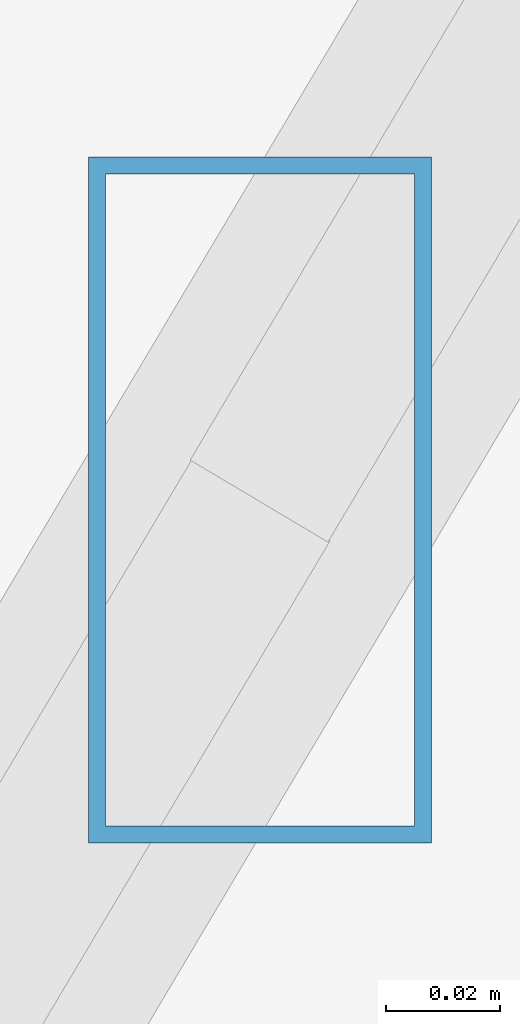
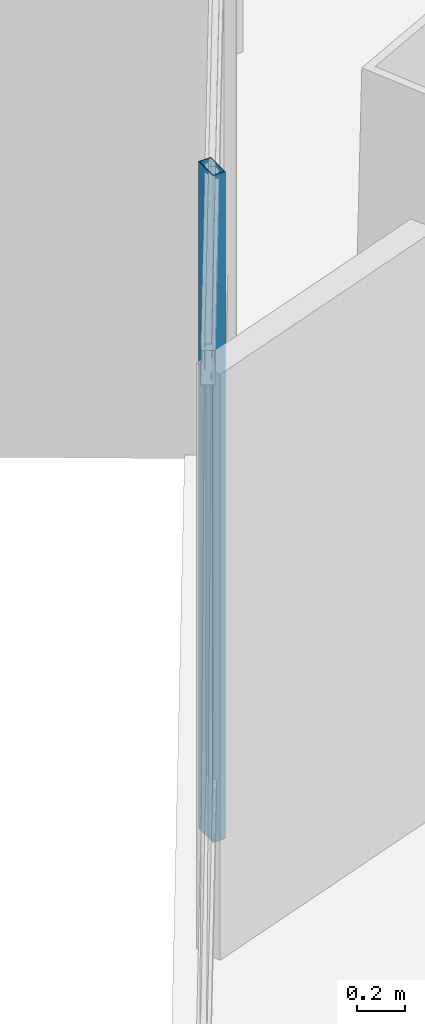
# One storey, part 7 of 46: 1 member, 1 element without a shape of its own.
"""IFC4 building model written with IfcOpenShell, lengths in metres."""

from ifc_helpers import new_model, si_unit, direction, frame, origin, origin_2d, place, context, subcontext, project, spatial, hollow_rectangle, extrude, source, transform, mapped, material, material_profile, profile_set, type_object, type_shapes, element, aggregate, save


model = new_model("IFC4")

# Units and contexts
model_context = context("Model", 3, precision=1e-05, world=origin(), true_north=direction((0.0, 1.0)))
body_context = subcontext(model_context, "Body", "Model", "MODEL_VIEW")
ifc_project = project(units=[si_unit("LENGTHUNIT", "METRE"), si_unit("AREAUNIT", "SQUARE_METRE"), si_unit("VOLUMEUNIT", "CUBIC_METRE"), si_unit("PLANEANGLEUNIT", "RADIAN"), si_unit("MASSUNIT", "GRAM", prefix="KILO")], contexts=[model_context])

# Site, building, storey
site_placement = place(None, origin())
site = spatial("IfcSite", under=ifc_project, at=site_placement, CompositionType="ELEMENT")
building_placement = place(site_placement, origin())
building = spatial("IfcBuilding", under=site, at=building_placement, Name="Caelisora Broadcast Tower", CompositionType="ELEMENT")
storey_placement = place(building_placement, frame((0.0, 0.0, 237.14990234375)))
storey = spatial("IfcBuildingStorey", under=building, at=storey_placement, Name="L62", CompositionType="ELEMENT", Elevation=237.14990234375)

# Curtain wall, member
ifc_material_1 = material(Name="Unitised Aluminium and Low-E Glass Curtain Wall", Category="glass")
curtain_wall_type = type_object("IfcCurtainWallType", Name="CW-Z5", PredefinedType="NOTDEFINED", material=ifc_material_1)
curtain_wall_placement = place(storey_placement, origin())
curtain_wall = element("IfcCurtainWall", 1, at=curtain_wall_placement, inside=storey, type_object=curtain_wall_type, Name="L62 curtain wall CW-Z5", PredefinedType="NOTDEFINED")
ifc_material_2 = material(Name="Aluminium 6063-T6 Anodised Terracotta Bronze", Category="aluminium")
ifc_material_profile = material_profile(ifc_material_2, hollow_rectangle(XDim=0.06005859375, YDim=0.1201171875, WallThickness=0.0029296875, at=origin_2d()), Name="Aluminium 6063-T6 Anodised Terracotta Bronze")
ifc_profile_set = profile_set([ifc_material_profile], Name="Aluminium 6063-T6 Anodised Terracotta Bronze")
member_type = type_object("IfcMemberType", Name="CWM-04", PredefinedType="MULLION", material=ifc_profile_set)
shared_shape = source(origin(), body_context, "Body", "SweptSolid", [
    extrude(hollow_rectangle(XDim=0.06005859375, YDim=0.1201171875, WallThickness=0.0029296875, at=origin_2d()), origin(), (0.0, 0.0, 1.0), 3.400146484375),
])
type_shapes(member_type, [shared_shape])
member_placement = place(storey_placement, frame((15.127685546875, 16.491455078125, 0.0), z_axis=(0.0, 0.0, 1.0), x_axis=(1.0, 0.0, 0.0)))
member = element("IfcMember", 2, at=member_placement, type_object=member_type, Name="L62-CW-B09 mullion #1", PredefinedType="MULLION", context=body_context, shape_type="MappedRepresentation", body=[
    mapped(shared_shape, transform((0.0, 0.0, 0.0), scale=1.0)),
])
aggregate(curtain_wall, [member])

save(model, "model.ifc")
